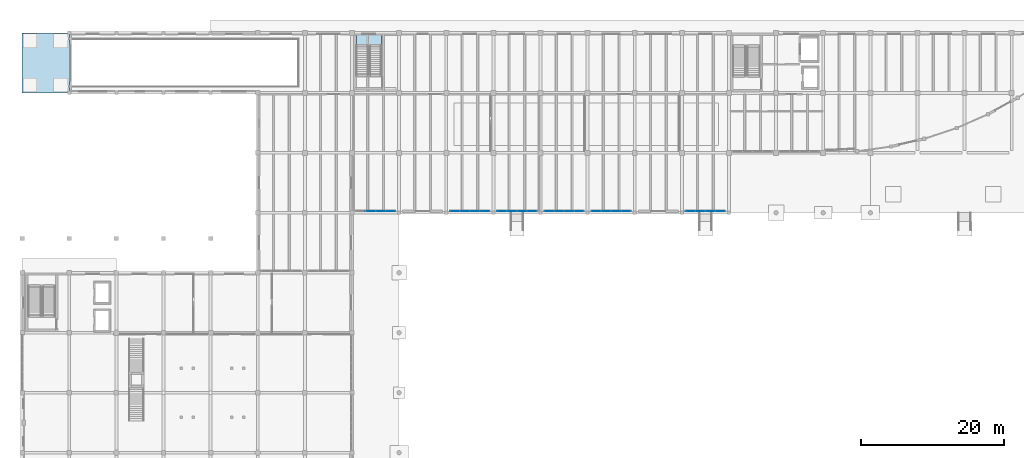
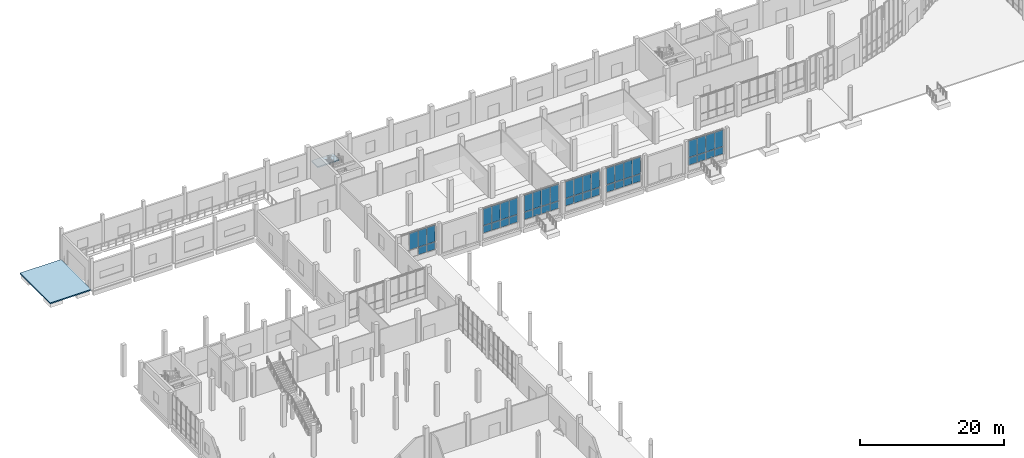
# One storey, part 31 of 64: 45 plates, 2 slabs, 7 elements without a shape of their own.
"""IFC4 building model written with IfcOpenShell, lengths in metres."""

from ifc_helpers import new_model, si_unit, direction, frame, origin, origin_2d, place, context, subcontext, project, spatial, polyline, rectangle, outline, extrude, material, layer, layer_set, type_object, element, aggregate, save


model = new_model("IFC4")

# Units and contexts
model_context = context("Model", 3, precision=1e-05, world=origin(), true_north=direction((0.0, 1.0)))
body_context = subcontext(model_context, "Body", "Model", "MODEL_VIEW")
ifc_project = project(units=[si_unit("LENGTHUNIT", "METRE"), si_unit("AREAUNIT", "SQUARE_METRE"), si_unit("VOLUMEUNIT", "CUBIC_METRE"), si_unit("PLANEANGLEUNIT", "RADIAN"), si_unit("MASSUNIT", "GRAM", prefix="KILO")], contexts=[model_context])

# Site, building, storey
site_placement = place(None, origin())
site = spatial("IfcSite", under=ifc_project, at=site_placement, CompositionType="ELEMENT")
building_placement = place(site_placement, origin())
building = spatial("IfcBuilding", under=site, at=building_placement, Name="Qaldarim Faculty of Natural and Applied Sciences", CompositionType="ELEMENT")
storey_placement = place(building_placement, origin())
storey = spatial("IfcBuildingStorey", under=building, at=storey_placement, Name="L00", CompositionType="ELEMENT", Elevation=0.0)

# Slab
ifc_material_1 = material(Name="Concrete C40/50", Category="concrete")
ifc_layer_1 = layer(ifc_material_1, 0.199951171875)
ifc_layer_set_1 = layer_set([ifc_layer_1], Name="Concrete C40/50")
slab_type_1 = type_object("IfcSlabType", Name="ColonnadeDeckSlab-200", PredefinedType="FLOOR", material=ifc_layer_set_1)
slab_1_placement = place(storey_placement, frame((0.0, 0.0, -0.199951171875)))
element("IfcSlab", 1, at=slab_1_placement, inside=storey, type_object=slab_type_1, Name="Vehicle ramp exterior driveway apron L00", PredefinedType="FLOOR", context=body_context, shape_type="SweptSolid", body=[
    extrude(outline(polyline([(6.60009765625, 109.199951171875), (0.0, 109.199951171875), (0.0, 117.60009765625), (6.60009765625, 117.60009765625), (6.60009765625, 116.64990234375), (6.60009765625, 110.14990234375), (6.60009765625, 109.199951171875)])), origin(), (0.0, 0.0, 1.0), 0.199951171875),
])

# Stair, slab
stair_type = type_object("IfcStairType", Name="DoglegStair-W1650-H5400-32R", PredefinedType="HALF_TURN_STAIR", material=ifc_material_1)
stair_placement = place(storey_placement, origin())
stair = element("IfcStair", 2, at=stair_placement, inside=storey, type_object=stair_type, Name="Enclosed exit stair ST-B2 L00", PredefinedType="HALF_TURN_STAIR")
ifc_layer_2 = layer(ifc_material_1, 0.2099609375)
ifc_layer_set_2 = layer_set([ifc_layer_2], Name="Concrete C40/50")
slab_type_2 = type_object("IfcSlabType", Name="StairLandingSlab-210", PredefinedType="LANDING", material=ifc_layer_set_2)
slab_2_placement = place(storey_placement, frame((0.0, 0.0, 2.489990234375)))
slab_2 = element("IfcSlab", 3, at=slab_2_placement, type_object=slab_type_2, Name="ST-B2 L00 half-landing 1", PredefinedType="LANDING", context=body_context, shape_type="SweptSolid", body=[
    extrude(outline(polyline([(50.300048828125, 115.860107421875), (50.300048828125, 117.60009765625), (46.800048828125, 117.60009765625), (46.800048828125, 115.860107421875), (50.300048828125, 115.860107421875)])), origin(), (0.0, 0.0, 1.0), 0.2099609375),
])
aggregate(stair, [slab_2])

# Curtain wall, plates
ifc_material_2 = material(Name="Anodised aluminium AW-6063", Category="aluminium")
curtain_wall_type = type_object("IfcCurtainWallType", Name="CurtainWallSystem-M1400", PredefinedType="USERDEFINED", material=ifc_material_2)
curtain_wall_1_placement = place(storey_placement, origin())
curtain_wall_1 = element("IfcCurtainWall", 4, at=curtain_wall_1_placement, inside=storey, type_object=curtain_wall_type, Name="Curtain wall CW-V4RIB-L00-X08", ObjectType="STICK CURTAIN WALL", PredefinedType="USERDEFINED")
ifc_material_3 = material(Name="Insulated low-e double glazing", Category="glass")
ifc_layer_3 = layer(ifc_material_3, 0.028076171875)
ifc_layer_set_3 = layer_set([ifc_layer_3], Name="Insulated low-e double glazing")
plate_type = type_object("IfcPlateType", Name="VisionGlazingPanel-28", PredefinedType="CURTAIN_PANEL", material=ifc_layer_set_3)
plate_1_placement = place(storey_placement, frame((48.800048828125, 92.6201171875, 2.22998046875), z_axis=(0.0, 0.0, 1.0), x_axis=(1.0, 0.0, 0.0)))
plate_1 = element("IfcPlate", 5, at=plate_1_placement, type_object=plate_type, Name="Glazed panel 2-2 of CW-V4RIB-L00-X08", PredefinedType="CURTAIN_PANEL", context=body_context, shape_type="SweptSolid", body=[
    extrude(rectangle(XDim=1.340087890625, YDim=0.028076171875, at=origin_2d()), origin(), (0.0, 0.0, 1.0), 2.81005859375),
])
plate_2_placement = place(storey_placement, frame((50.199951171875, 92.6201171875, 0.91015625), z_axis=(0.0, 0.0, 1.0), x_axis=(1.0, 0.0, 0.0)))
plate_2 = element("IfcPlate", 6, at=plate_2_placement, type_object=plate_type, Name="Glazed panel 3-1 of CW-V4RIB-L00-X08", PredefinedType="CURTAIN_PANEL", context=body_context, shape_type="SweptSolid", body=[
    extrude(rectangle(XDim=1.340087890625, YDim=0.028076171875, at=origin_2d()), origin(), (0.0, 0.0, 1.0), 1.260009765625),
])
plate_3_placement = place(storey_placement, frame((50.199951171875, 92.6201171875, 2.22998046875), z_axis=(0.0, 0.0, 1.0), x_axis=(1.0, 0.0, 0.0)))
plate_3 = element("IfcPlate", 7, at=plate_3_placement, type_object=plate_type, Name="Glazed panel 3-2 of CW-V4RIB-L00-X08", PredefinedType="CURTAIN_PANEL", context=body_context, shape_type="SweptSolid", body=[
    extrude(rectangle(XDim=1.340087890625, YDim=0.028076171875, at=origin_2d()), origin(), (0.0, 0.0, 1.0), 2.81005859375),
])
plate_4_placement = place(storey_placement, frame((51.5849609375, 92.6201171875, 0.91015625), z_axis=(0.0, 0.0, 1.0), x_axis=(1.0, 0.0, 0.0)))
plate_4 = element("IfcPlate", 8, at=plate_4_placement, type_object=plate_type, Name="Glazed panel 4-1 of CW-V4RIB-L00-X08", PredefinedType="CURTAIN_PANEL", context=body_context, shape_type="SweptSolid", body=[
    extrude(rectangle(XDim=1.31005859375, YDim=0.028076171875, at=origin_2d()), origin(), (0.0, 0.0, 1.0), 1.260009765625),
])
plate_5_placement = place(storey_placement, frame((51.5849609375, 92.6201171875, 2.22998046875), z_axis=(0.0, 0.0, 1.0), x_axis=(1.0, 0.0, 0.0)))
plate_5 = element("IfcPlate", 9, at=plate_5_placement, type_object=plate_type, Name="Glazed panel 4-2 of CW-V4RIB-L00-X08", PredefinedType="CURTAIN_PANEL", context=body_context, shape_type="SweptSolid", body=[
    extrude(rectangle(XDim=1.31005859375, YDim=0.028076171875, at=origin_2d()), origin(), (0.0, 0.0, 1.0), 2.81005859375),
])
aggregate(curtain_wall_1, [plate_1, plate_2, plate_3, plate_4, plate_5])

curtain_wall_2_placement = place(storey_placement, origin())
curtain_wall_2 = element("IfcCurtainWall", 10, at=curtain_wall_2_placement, inside=storey, type_object=curtain_wall_type, Name="Curtain wall CW-V4RIB-L00-X10", ObjectType="STICK CURTAIN WALL", PredefinedType="USERDEFINED")
plate_6_placement = place(storey_placement, frame((60.614990234375, 92.6201171875, 0.91015625), z_axis=(0.0, 0.0, 1.0), x_axis=(1.0, 0.0, 0.0)))
plate_6 = element("IfcPlate", 11, at=plate_6_placement, type_object=plate_type, Name="Glazed panel 1-1 of CW-V4RIB-L00-X10", PredefinedType="CURTAIN_PANEL", context=body_context, shape_type="SweptSolid", body=[
    extrude(rectangle(XDim=1.31005859375, YDim=0.028076171875, at=origin_2d()), origin(), (0.0, 0.0, 1.0), 1.260009765625),
])
plate_7_placement = place(storey_placement, frame((60.614990234375, 92.6201171875, 2.22998046875), z_axis=(0.0, 0.0, 1.0), x_axis=(1.0, 0.0, 0.0)))
plate_7 = element("IfcPlate", 12, at=plate_7_placement, type_object=plate_type, Name="Glazed panel 1-2 of CW-V4RIB-L00-X10", PredefinedType="CURTAIN_PANEL", context=body_context, shape_type="SweptSolid", body=[
    extrude(rectangle(XDim=1.31005859375, YDim=0.028076171875, at=origin_2d()), origin(), (0.0, 0.0, 1.0), 2.81005859375),
])
plate_8_placement = place(storey_placement, frame((62.0, 92.6201171875, 0.91015625), z_axis=(0.0, 0.0, 1.0), x_axis=(1.0, 0.0, 0.0)))
plate_8 = element("IfcPlate", 13, at=plate_8_placement, type_object=plate_type, Name="Glazed panel 2-1 of CW-V4RIB-L00-X10", PredefinedType="CURTAIN_PANEL", context=body_context, shape_type="SweptSolid", body=[
    extrude(rectangle(XDim=1.340087890625, YDim=0.028076171875, at=origin_2d()), origin(), (0.0, 0.0, 1.0), 1.260009765625),
])
plate_9_placement = place(storey_placement, frame((62.0, 92.6201171875, 2.22998046875), z_axis=(0.0, 0.0, 1.0), x_axis=(1.0, 0.0, 0.0)))
plate_9 = element("IfcPlate", 14, at=plate_9_placement, type_object=plate_type, Name="Glazed panel 2-2 of CW-V4RIB-L00-X10", PredefinedType="CURTAIN_PANEL", context=body_context, shape_type="SweptSolid", body=[
    extrude(rectangle(XDim=1.340087890625, YDim=0.028076171875, at=origin_2d()), origin(), (0.0, 0.0, 1.0), 2.81005859375),
])
plate_10_placement = place(storey_placement, frame((63.39990234375, 92.6201171875, 0.91015625), z_axis=(0.0, 0.0, 1.0), x_axis=(1.0, 0.0, 0.0)))
plate_10 = element("IfcPlate", 15, at=plate_10_placement, type_object=plate_type, Name="Glazed panel 3-1 of CW-V4RIB-L00-X10", PredefinedType="CURTAIN_PANEL", context=body_context, shape_type="SweptSolid", body=[
    extrude(rectangle(XDim=1.340087890625, YDim=0.028076171875, at=origin_2d()), origin(), (0.0, 0.0, 1.0), 1.260009765625),
])
plate_11_placement = place(storey_placement, frame((63.39990234375, 92.6201171875, 2.22998046875), z_axis=(0.0, 0.0, 1.0), x_axis=(1.0, 0.0, 0.0)))
plate_11 = element("IfcPlate", 16, at=plate_11_placement, type_object=plate_type, Name="Glazed panel 3-2 of CW-V4RIB-L00-X10", PredefinedType="CURTAIN_PANEL", context=body_context, shape_type="SweptSolid", body=[
    extrude(rectangle(XDim=1.340087890625, YDim=0.028076171875, at=origin_2d()), origin(), (0.0, 0.0, 1.0), 2.81005859375),
])
plate_12_placement = place(storey_placement, frame((64.784912109375, 92.6201171875, 0.91015625), z_axis=(0.0, 0.0, 1.0), x_axis=(1.0, 0.0, 0.0)))
plate_12 = element("IfcPlate", 17, at=plate_12_placement, type_object=plate_type, Name="Glazed panel 4-1 of CW-V4RIB-L00-X10", PredefinedType="CURTAIN_PANEL", context=body_context, shape_type="SweptSolid", body=[
    extrude(rectangle(XDim=1.31005859375, YDim=0.028076171875, at=origin_2d()), origin(), (0.0, 0.0, 1.0), 1.260009765625),
])
plate_13_placement = place(storey_placement, frame((64.784912109375, 92.6201171875, 2.22998046875), z_axis=(0.0, 0.0, 1.0), x_axis=(1.0, 0.0, 0.0)))
plate_13 = element("IfcPlate", 18, at=plate_13_placement, type_object=plate_type, Name="Glazed panel 4-2 of CW-V4RIB-L00-X10", PredefinedType="CURTAIN_PANEL", context=body_context, shape_type="SweptSolid", body=[
    extrude(rectangle(XDim=1.31005859375, YDim=0.028076171875, at=origin_2d()), origin(), (0.0, 0.0, 1.0), 2.81005859375),
])
aggregate(curtain_wall_2, [plate_6, plate_7, plate_8, plate_9, plate_10, plate_11, plate_12, plate_13])

curtain_wall_3_placement = place(storey_placement, origin())
curtain_wall_3 = element("IfcCurtainWall", 19, at=curtain_wall_3_placement, inside=storey, type_object=curtain_wall_type, Name="Curtain wall CW-V4RIB-L00-X11", ObjectType="STICK CURTAIN WALL", PredefinedType="USERDEFINED")
plate_14_placement = place(storey_placement, frame((67.215087890625, 92.6201171875, 0.91015625), z_axis=(0.0, 0.0, 1.0), x_axis=(1.0, 0.0, 0.0)))
plate_14 = element("IfcPlate", 20, at=plate_14_placement, type_object=plate_type, Name="Glazed panel 1-1 of CW-V4RIB-L00-X11", PredefinedType="CURTAIN_PANEL", context=body_context, shape_type="SweptSolid", body=[
    extrude(rectangle(XDim=1.31005859375, YDim=0.028076171875, at=origin_2d()), origin(), (0.0, 0.0, 1.0), 1.260009765625),
])
plate_15_placement = place(storey_placement, frame((67.215087890625, 92.6201171875, 2.22998046875), z_axis=(0.0, 0.0, 1.0), x_axis=(1.0, 0.0, 0.0)))
plate_15 = element("IfcPlate", 21, at=plate_15_placement, type_object=plate_type, Name="Glazed panel 1-2 of CW-V4RIB-L00-X11", PredefinedType="CURTAIN_PANEL", context=body_context, shape_type="SweptSolid", body=[
    extrude(rectangle(XDim=1.31005859375, YDim=0.028076171875, at=origin_2d()), origin(), (0.0, 0.0, 1.0), 2.81005859375),
])
plate_16_placement = place(storey_placement, frame((68.60009765625, 92.6201171875, 0.91015625), z_axis=(0.0, 0.0, 1.0), x_axis=(1.0, 0.0, 0.0)))
plate_16 = element("IfcPlate", 22, at=plate_16_placement, type_object=plate_type, Name="Glazed panel 2-1 of CW-V4RIB-L00-X11", PredefinedType="CURTAIN_PANEL", context=body_context, shape_type="SweptSolid", body=[
    extrude(rectangle(XDim=1.340087890625, YDim=0.028076171875, at=origin_2d()), origin(), (0.0, 0.0, 1.0), 1.260009765625),
])
plate_17_placement = place(storey_placement, frame((68.60009765625, 92.6201171875, 2.22998046875), z_axis=(0.0, 0.0, 1.0), x_axis=(1.0, 0.0, 0.0)))
plate_17 = element("IfcPlate", 23, at=plate_17_placement, type_object=plate_type, Name="Glazed panel 2-2 of CW-V4RIB-L00-X11", PredefinedType="CURTAIN_PANEL", context=body_context, shape_type="SweptSolid", body=[
    extrude(rectangle(XDim=1.340087890625, YDim=0.028076171875, at=origin_2d()), origin(), (0.0, 0.0, 1.0), 2.81005859375),
])
plate_18_placement = place(storey_placement, frame((70.0, 92.6201171875, 0.91015625), z_axis=(0.0, 0.0, 1.0), x_axis=(1.0, 0.0, 0.0)))
plate_18 = element("IfcPlate", 24, at=plate_18_placement, type_object=plate_type, Name="Glazed panel 3-1 of CW-V4RIB-L00-X11", PredefinedType="CURTAIN_PANEL", context=body_context, shape_type="SweptSolid", body=[
    extrude(rectangle(XDim=1.340087890625, YDim=0.028076171875, at=origin_2d()), origin(), (0.0, 0.0, 1.0), 1.260009765625),
])
plate_19_placement = place(storey_placement, frame((70.0, 92.6201171875, 2.22998046875), z_axis=(0.0, 0.0, 1.0), x_axis=(1.0, 0.0, 0.0)))
plate_19 = element("IfcPlate", 25, at=plate_19_placement, type_object=plate_type, Name="Glazed panel 3-2 of CW-V4RIB-L00-X11", PredefinedType="CURTAIN_PANEL", context=body_context, shape_type="SweptSolid", body=[
    extrude(rectangle(XDim=1.340087890625, YDim=0.028076171875, at=origin_2d()), origin(), (0.0, 0.0, 1.0), 2.81005859375),
])
plate_20_placement = place(storey_placement, frame((71.385009765625, 92.6201171875, 0.91015625), z_axis=(0.0, 0.0, 1.0), x_axis=(1.0, 0.0, 0.0)))
plate_20 = element("IfcPlate", 26, at=plate_20_placement, type_object=plate_type, Name="Glazed panel 4-1 of CW-V4RIB-L00-X11", PredefinedType="CURTAIN_PANEL", context=body_context, shape_type="SweptSolid", body=[
    extrude(rectangle(XDim=1.31005859375, YDim=0.028076171875, at=origin_2d()), origin(), (0.0, 0.0, 1.0), 1.260009765625),
])
plate_21_placement = place(storey_placement, frame((71.385009765625, 92.6201171875, 2.22998046875), z_axis=(0.0, 0.0, 1.0), x_axis=(1.0, 0.0, 0.0)))
plate_21 = element("IfcPlate", 27, at=plate_21_placement, type_object=plate_type, Name="Glazed panel 4-2 of CW-V4RIB-L00-X11", PredefinedType="CURTAIN_PANEL", context=body_context, shape_type="SweptSolid", body=[
    extrude(rectangle(XDim=1.31005859375, YDim=0.028076171875, at=origin_2d()), origin(), (0.0, 0.0, 1.0), 2.81005859375),
])
aggregate(curtain_wall_3, [plate_14, plate_15, plate_16, plate_17, plate_18, plate_19, plate_20, plate_21])

curtain_wall_4_placement = place(storey_placement, origin())
curtain_wall_4 = element("IfcCurtainWall", 28, at=curtain_wall_4_placement, inside=storey, type_object=curtain_wall_type, Name="Curtain wall CW-V4RIB-L00-X12", ObjectType="STICK CURTAIN WALL", PredefinedType="USERDEFINED")
plate_22_placement = place(storey_placement, frame((73.81494140625, 92.6201171875, 0.91015625), z_axis=(0.0, 0.0, 1.0), x_axis=(1.0, 0.0, 0.0)))
plate_22 = element("IfcPlate", 29, at=plate_22_placement, type_object=plate_type, Name="Glazed panel 1-1 of CW-V4RIB-L00-X12", PredefinedType="CURTAIN_PANEL", context=body_context, shape_type="SweptSolid", body=[
    extrude(rectangle(XDim=1.31005859375, YDim=0.028076171875, at=origin_2d()), origin(), (0.0, 0.0, 1.0), 1.260009765625),
])
plate_23_placement = place(storey_placement, frame((73.81494140625, 92.6201171875, 2.22998046875), z_axis=(0.0, 0.0, 1.0), x_axis=(1.0, 0.0, 0.0)))
plate_23 = element("IfcPlate", 30, at=plate_23_placement, type_object=plate_type, Name="Glazed panel 1-2 of CW-V4RIB-L00-X12", PredefinedType="CURTAIN_PANEL", context=body_context, shape_type="SweptSolid", body=[
    extrude(rectangle(XDim=1.31005859375, YDim=0.028076171875, at=origin_2d()), origin(), (0.0, 0.0, 1.0), 2.81005859375),
])
plate_24_placement = place(storey_placement, frame((75.199951171875, 92.6201171875, 0.91015625), z_axis=(0.0, 0.0, 1.0), x_axis=(1.0, 0.0, 0.0)))
plate_24 = element("IfcPlate", 31, at=plate_24_placement, type_object=plate_type, Name="Glazed panel 2-1 of CW-V4RIB-L00-X12", PredefinedType="CURTAIN_PANEL", context=body_context, shape_type="SweptSolid", body=[
    extrude(rectangle(XDim=1.340087890625, YDim=0.028076171875, at=origin_2d()), origin(), (0.0, 0.0, 1.0), 1.260009765625),
])
plate_25_placement = place(storey_placement, frame((75.199951171875, 92.6201171875, 2.22998046875), z_axis=(0.0, 0.0, 1.0), x_axis=(1.0, 0.0, 0.0)))
plate_25 = element("IfcPlate", 32, at=plate_25_placement, type_object=plate_type, Name="Glazed panel 2-2 of CW-V4RIB-L00-X12", PredefinedType="CURTAIN_PANEL", context=body_context, shape_type="SweptSolid", body=[
    extrude(rectangle(XDim=1.340087890625, YDim=0.028076171875, at=origin_2d()), origin(), (0.0, 0.0, 1.0), 2.81005859375),
])
plate_26_placement = place(storey_placement, frame((76.60009765625, 92.6201171875, 0.91015625), z_axis=(0.0, 0.0, 1.0), x_axis=(1.0, 0.0, 0.0)))
plate_26 = element("IfcPlate", 33, at=plate_26_placement, type_object=plate_type, Name="Glazed panel 3-1 of CW-V4RIB-L00-X12", PredefinedType="CURTAIN_PANEL", context=body_context, shape_type="SweptSolid", body=[
    extrude(rectangle(XDim=1.340087890625, YDim=0.028076171875, at=origin_2d()), origin(), (0.0, 0.0, 1.0), 1.260009765625),
])
plate_27_placement = place(storey_placement, frame((76.60009765625, 92.6201171875, 2.22998046875), z_axis=(0.0, 0.0, 1.0), x_axis=(1.0, 0.0, 0.0)))
plate_27 = element("IfcPlate", 34, at=plate_27_placement, type_object=plate_type, Name="Glazed panel 3-2 of CW-V4RIB-L00-X12", PredefinedType="CURTAIN_PANEL", context=body_context, shape_type="SweptSolid", body=[
    extrude(rectangle(XDim=1.340087890625, YDim=0.028076171875, at=origin_2d()), origin(), (0.0, 0.0, 1.0), 2.81005859375),
])
plate_28_placement = place(storey_placement, frame((77.985107421875, 92.6201171875, 0.91015625), z_axis=(0.0, 0.0, 1.0), x_axis=(1.0, 0.0, 0.0)))
plate_28 = element("IfcPlate", 35, at=plate_28_placement, type_object=plate_type, Name="Glazed panel 4-1 of CW-V4RIB-L00-X12", PredefinedType="CURTAIN_PANEL", context=body_context, shape_type="SweptSolid", body=[
    extrude(rectangle(XDim=1.31005859375, YDim=0.028076171875, at=origin_2d()), origin(), (0.0, 0.0, 1.0), 1.260009765625),
])
plate_29_placement = place(storey_placement, frame((77.985107421875, 92.6201171875, 2.22998046875), z_axis=(0.0, 0.0, 1.0), x_axis=(1.0, 0.0, 0.0)))
plate_29 = element("IfcPlate", 36, at=plate_29_placement, type_object=plate_type, Name="Glazed panel 4-2 of CW-V4RIB-L00-X12", PredefinedType="CURTAIN_PANEL", context=body_context, shape_type="SweptSolid", body=[
    extrude(rectangle(XDim=1.31005859375, YDim=0.028076171875, at=origin_2d()), origin(), (0.0, 0.0, 1.0), 2.81005859375),
])
aggregate(curtain_wall_4, [plate_22, plate_23, plate_24, plate_25, plate_26, plate_27, plate_28, plate_29])

curtain_wall_5_placement = place(storey_placement, origin())
curtain_wall_5 = element("IfcCurtainWall", 37, at=curtain_wall_5_placement, inside=storey, type_object=curtain_wall_type, Name="Curtain wall CW-V4RIB-L00-X13", ObjectType="STICK CURTAIN WALL", PredefinedType="USERDEFINED")
plate_30_placement = place(storey_placement, frame((80.4150390625, 92.6201171875, 0.91015625), z_axis=(0.0, 0.0, 1.0), x_axis=(1.0, 0.0, 0.0)))
plate_30 = element("IfcPlate", 38, at=plate_30_placement, type_object=plate_type, Name="Glazed panel 1-1 of CW-V4RIB-L00-X13", PredefinedType="CURTAIN_PANEL", context=body_context, shape_type="SweptSolid", body=[
    extrude(rectangle(XDim=1.31005859375, YDim=0.028076171875, at=origin_2d()), origin(), (0.0, 0.0, 1.0), 1.260009765625),
])
plate_31_placement = place(storey_placement, frame((80.4150390625, 92.6201171875, 2.22998046875), z_axis=(0.0, 0.0, 1.0), x_axis=(1.0, 0.0, 0.0)))
plate_31 = element("IfcPlate", 39, at=plate_31_placement, type_object=plate_type, Name="Glazed panel 1-2 of CW-V4RIB-L00-X13", PredefinedType="CURTAIN_PANEL", context=body_context, shape_type="SweptSolid", body=[
    extrude(rectangle(XDim=1.31005859375, YDim=0.028076171875, at=origin_2d()), origin(), (0.0, 0.0, 1.0), 2.81005859375),
])
plate_32_placement = place(storey_placement, frame((81.800048828125, 92.6201171875, 0.91015625), z_axis=(0.0, 0.0, 1.0), x_axis=(1.0, 0.0, 0.0)))
plate_32 = element("IfcPlate", 40, at=plate_32_placement, type_object=plate_type, Name="Glazed panel 2-1 of CW-V4RIB-L00-X13", PredefinedType="CURTAIN_PANEL", context=body_context, shape_type="SweptSolid", body=[
    extrude(rectangle(XDim=1.340087890625, YDim=0.028076171875, at=origin_2d()), origin(), (0.0, 0.0, 1.0), 1.260009765625),
])
plate_33_placement = place(storey_placement, frame((81.800048828125, 92.6201171875, 2.22998046875), z_axis=(0.0, 0.0, 1.0), x_axis=(1.0, 0.0, 0.0)))
plate_33 = element("IfcPlate", 41, at=plate_33_placement, type_object=plate_type, Name="Glazed panel 2-2 of CW-V4RIB-L00-X13", PredefinedType="CURTAIN_PANEL", context=body_context, shape_type="SweptSolid", body=[
    extrude(rectangle(XDim=1.340087890625, YDim=0.028076171875, at=origin_2d()), origin(), (0.0, 0.0, 1.0), 2.81005859375),
])
plate_34_placement = place(storey_placement, frame((83.199951171875, 92.6201171875, 0.91015625), z_axis=(0.0, 0.0, 1.0), x_axis=(1.0, 0.0, 0.0)))
plate_34 = element("IfcPlate", 42, at=plate_34_placement, type_object=plate_type, Name="Glazed panel 3-1 of CW-V4RIB-L00-X13", PredefinedType="CURTAIN_PANEL", context=body_context, shape_type="SweptSolid", body=[
    extrude(rectangle(XDim=1.340087890625, YDim=0.028076171875, at=origin_2d()), origin(), (0.0, 0.0, 1.0), 1.260009765625),
])
plate_35_placement = place(storey_placement, frame((83.199951171875, 92.6201171875, 2.22998046875), z_axis=(0.0, 0.0, 1.0), x_axis=(1.0, 0.0, 0.0)))
plate_35 = element("IfcPlate", 43, at=plate_35_placement, type_object=plate_type, Name="Glazed panel 3-2 of CW-V4RIB-L00-X13", PredefinedType="CURTAIN_PANEL", context=body_context, shape_type="SweptSolid", body=[
    extrude(rectangle(XDim=1.340087890625, YDim=0.028076171875, at=origin_2d()), origin(), (0.0, 0.0, 1.0), 2.81005859375),
])
plate_36_placement = place(storey_placement, frame((84.5849609375, 92.6201171875, 0.91015625), z_axis=(0.0, 0.0, 1.0), x_axis=(1.0, 0.0, 0.0)))
plate_36 = element("IfcPlate", 44, at=plate_36_placement, type_object=plate_type, Name="Glazed panel 4-1 of CW-V4RIB-L00-X13", PredefinedType="CURTAIN_PANEL", context=body_context, shape_type="SweptSolid", body=[
    extrude(rectangle(XDim=1.31005859375, YDim=0.028076171875, at=origin_2d()), origin(), (0.0, 0.0, 1.0), 1.260009765625),
])
plate_37_placement = place(storey_placement, frame((84.5849609375, 92.6201171875, 2.22998046875), z_axis=(0.0, 0.0, 1.0), x_axis=(1.0, 0.0, 0.0)))
plate_37 = element("IfcPlate", 45, at=plate_37_placement, type_object=plate_type, Name="Glazed panel 4-2 of CW-V4RIB-L00-X13", PredefinedType="CURTAIN_PANEL", context=body_context, shape_type="SweptSolid", body=[
    extrude(rectangle(XDim=1.31005859375, YDim=0.028076171875, at=origin_2d()), origin(), (0.0, 0.0, 1.0), 2.81005859375),
])
aggregate(curtain_wall_5, [plate_30, plate_31, plate_32, plate_33, plate_34, plate_35, plate_36, plate_37])

curtain_wall_6_placement = place(storey_placement, origin())
curtain_wall_6 = element("IfcCurtainWall", 46, at=curtain_wall_6_placement, inside=storey, type_object=curtain_wall_type, Name="Curtain wall CW-V4RIB-L00-X15", ObjectType="STICK CURTAIN WALL", PredefinedType="USERDEFINED")
plate_38_placement = place(storey_placement, frame((93.614990234375, 92.6201171875, 0.91015625), z_axis=(0.0, 0.0, 1.0), x_axis=(1.0, 0.0, 0.0)))
plate_38 = element("IfcPlate", 47, at=plate_38_placement, type_object=plate_type, Name="Glazed panel 1-1 of CW-V4RIB-L00-X15", PredefinedType="CURTAIN_PANEL", context=body_context, shape_type="SweptSolid", body=[
    extrude(rectangle(XDim=1.31005859375, YDim=0.028076171875, at=origin_2d()), origin(), (0.0, 0.0, 1.0), 1.260009765625),
])
plate_39_placement = place(storey_placement, frame((93.614990234375, 92.6201171875, 2.22998046875), z_axis=(0.0, 0.0, 1.0), x_axis=(1.0, 0.0, 0.0)))
plate_39 = element("IfcPlate", 48, at=plate_39_placement, type_object=plate_type, Name="Glazed panel 1-2 of CW-V4RIB-L00-X15", PredefinedType="CURTAIN_PANEL", context=body_context, shape_type="SweptSolid", body=[
    extrude(rectangle(XDim=1.31005859375, YDim=0.028076171875, at=origin_2d()), origin(), (0.0, 0.0, 1.0), 2.81005859375),
])
plate_40_placement = place(storey_placement, frame((95.0, 92.6201171875, 0.91015625), z_axis=(0.0, 0.0, 1.0), x_axis=(1.0, 0.0, 0.0)))
plate_40 = element("IfcPlate", 49, at=plate_40_placement, type_object=plate_type, Name="Glazed panel 2-1 of CW-V4RIB-L00-X15", PredefinedType="CURTAIN_PANEL", context=body_context, shape_type="SweptSolid", body=[
    extrude(rectangle(XDim=1.340087890625, YDim=0.028076171875, at=origin_2d()), origin(), (0.0, 0.0, 1.0), 1.260009765625),
])
plate_41_placement = place(storey_placement, frame((95.0, 92.6201171875, 2.22998046875), z_axis=(0.0, 0.0, 1.0), x_axis=(1.0, 0.0, 0.0)))
plate_41 = element("IfcPlate", 50, at=plate_41_placement, type_object=plate_type, Name="Glazed panel 2-2 of CW-V4RIB-L00-X15", PredefinedType="CURTAIN_PANEL", context=body_context, shape_type="SweptSolid", body=[
    extrude(rectangle(XDim=1.340087890625, YDim=0.028076171875, at=origin_2d()), origin(), (0.0, 0.0, 1.0), 2.81005859375),
])
plate_42_placement = place(storey_placement, frame((96.39990234375, 92.6201171875, 0.91015625), z_axis=(0.0, 0.0, 1.0), x_axis=(1.0, 0.0, 0.0)))
plate_42 = element("IfcPlate", 51, at=plate_42_placement, type_object=plate_type, Name="Glazed panel 3-1 of CW-V4RIB-L00-X15", PredefinedType="CURTAIN_PANEL", context=body_context, shape_type="SweptSolid", body=[
    extrude(rectangle(XDim=1.340087890625, YDim=0.028076171875, at=origin_2d()), origin(), (0.0, 0.0, 1.0), 1.260009765625),
])
plate_43_placement = place(storey_placement, frame((96.39990234375, 92.6201171875, 2.22998046875), z_axis=(0.0, 0.0, 1.0), x_axis=(1.0, 0.0, 0.0)))
plate_43 = element("IfcPlate", 52, at=plate_43_placement, type_object=plate_type, Name="Glazed panel 3-2 of CW-V4RIB-L00-X15", PredefinedType="CURTAIN_PANEL", context=body_context, shape_type="SweptSolid", body=[
    extrude(rectangle(XDim=1.340087890625, YDim=0.028076171875, at=origin_2d()), origin(), (0.0, 0.0, 1.0), 2.81005859375),
])
plate_44_placement = place(storey_placement, frame((97.784912109375, 92.6201171875, 0.91015625), z_axis=(0.0, 0.0, 1.0), x_axis=(1.0, 0.0, 0.0)))
plate_44 = element("IfcPlate", 53, at=plate_44_placement, type_object=plate_type, Name="Glazed panel 4-1 of CW-V4RIB-L00-X15", PredefinedType="CURTAIN_PANEL", context=body_context, shape_type="SweptSolid", body=[
    extrude(rectangle(XDim=1.31005859375, YDim=0.028076171875, at=origin_2d()), origin(), (0.0, 0.0, 1.0), 1.260009765625),
])
plate_45_placement = place(storey_placement, frame((97.784912109375, 92.6201171875, 2.22998046875), z_axis=(0.0, 0.0, 1.0), x_axis=(1.0, 0.0, 0.0)))
plate_45 = element("IfcPlate", 54, at=plate_45_placement, type_object=plate_type, Name="Glazed panel 4-2 of CW-V4RIB-L00-X15", PredefinedType="CURTAIN_PANEL", context=body_context, shape_type="SweptSolid", body=[
    extrude(rectangle(XDim=1.31005859375, YDim=0.028076171875, at=origin_2d()), origin(), (0.0, 0.0, 1.0), 2.81005859375),
])
aggregate(curtain_wall_6, [plate_38, plate_39, plate_40, plate_41, plate_42, plate_43, plate_44, plate_45])

save(model, "model.ifc")
